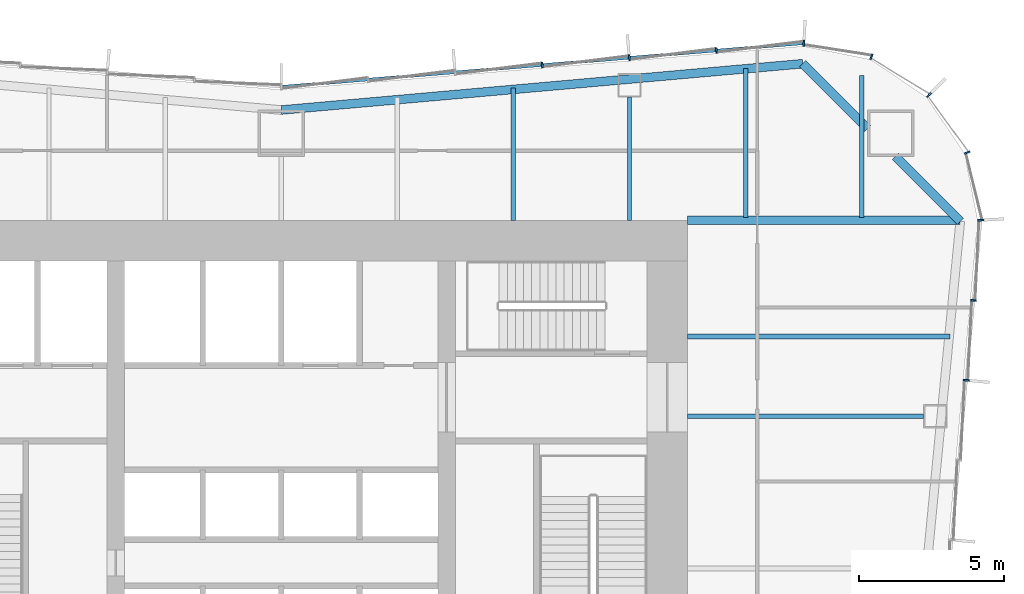
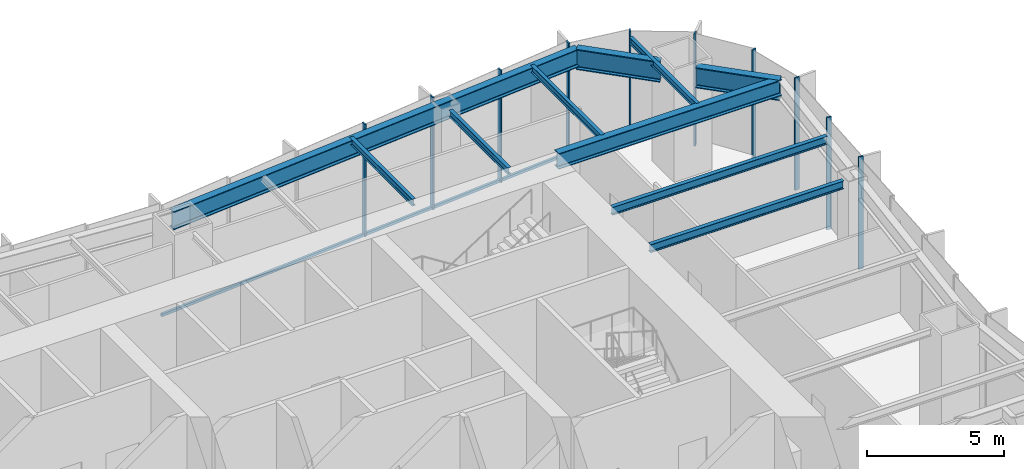
# One storey, part 7 of 14: 11 members, 10 beams, 3 elements without a shape of their own.
"""IFC4 building model written with IfcOpenShell, lengths in metres."""

from ifc_helpers import new_model, si_unit, direction, frame, origin, origin_2d, place, context, subcontext, project, spatial, rectangle, i_section, extrude, material, material_profile, profile_set, type_object, element, aggregate, save


model = new_model("IFC4")

# Units and contexts
model_context = context("Model", 3, precision=1e-05, world=origin(), true_north=direction((0.0, 1.0)))
body_context = subcontext(model_context, "Body", "Model", "MODEL_VIEW")
ifc_project = project(units=[si_unit("LENGTHUNIT", "METRE"), si_unit("AREAUNIT", "SQUARE_METRE"), si_unit("VOLUMEUNIT", "CUBIC_METRE"), si_unit("PLANEANGLEUNIT", "RADIAN"), si_unit("MASSUNIT", "GRAM", prefix="KILO")], contexts=[model_context])

# Site, building, storey
site_placement = place(None, origin())
site = spatial("IfcSite", under=ifc_project, at=site_placement, CompositionType="ELEMENT")
building_placement = place(site_placement, origin())
building = spatial("IfcBuilding", under=site, at=building_placement, Name="Verdant Reach Tower", CompositionType="ELEMENT")
storey_placement = place(building_placement, frame((0.0, 0.0, 9.0)))
storey = spatial("IfcBuildingStorey", under=building, at=storey_placement, Name="L01", CompositionType="ELEMENT", Elevation=9.0)

# Curtain wall, members
ifc_material_1 = material(Name="Anodised aluminium", Category="aluminium")
curtain_wall_type = type_object("IfcCurtainWallType", Name="EN-CW SYSTEM Z0", PredefinedType="NOTDEFINED", material=ifc_material_1)
curtain_wall_1_placement = place(storey_placement, origin())
curtain_wall_1 = element("IfcCurtainWall", 1, at=curtain_wall_1_placement, inside=storey, type_object=curtain_wall_type, Name="Curtain wall east, L01", PredefinedType="NOTDEFINED")
ifc_material_profile_1 = material_profile(ifc_material_1, rectangle(XDim=0.199951171875, YDim=0.06005859375, at=origin_2d()), Name="Mullion 60x200")
ifc_profile_set_1 = profile_set([ifc_material_profile_1], Name="Anodised aluminium")
member_type_1 = type_object("IfcMemberType", Name="EN-MULLION Z0", PredefinedType="MULLION", material=ifc_profile_set_1)
member_1_placement = place(storey_placement, frame((23.599609375, 33.490966796875, -0.35009765625), z_axis=(0.0, 0.0, 1.0), x_axis=(0.995893206467, -0.090535746047, 0.0)))
member_1 = element("IfcMember", 2, at=member_1_placement, type_object=member_type_1, Name="Mullion east face part 2 5, L01", PredefinedType="MULLION", context=body_context, shape_type="SweptSolid", body=[
    extrude(rectangle(XDim=0.199951171875, YDim=0.06005859375, at=origin_2d()), origin(), (0.0, 0.0, 1.0), 5.0),
])
member_2_placement = place(storey_placement, frame((23.849609375, 36.240966796875, -0.35009765625), z_axis=(0.0, 0.0, 1.0), x_axis=(0.995893206467, -0.090535746047, 0.0)))
member_2 = element("IfcMember", 3, at=member_2_placement, type_object=member_type_1, Name="Mullion east face part 2 6, L01", PredefinedType="MULLION", context=body_context, shape_type="SweptSolid", body=[
    extrude(rectangle(XDim=0.199951171875, YDim=0.06005859375, at=origin_2d()), origin(), (0.0, 0.0, 1.0), 5.0),
])
aggregate(curtain_wall_1, [member_1, member_2])

curtain_wall_2_placement = place(storey_placement, origin())
curtain_wall_2 = element("IfcCurtainWall", 4, at=curtain_wall_2_placement, inside=storey, type_object=curtain_wall_type, Name="Curtain wall north-east corner, L01", PredefinedType="NOTDEFINED")
member_3_placement = place(storey_placement, frame((24.099853515625, 39.00537109375, -0.35009765625), z_axis=(0.0, 0.0, 1.0), x_axis=(0.998604288049, 0.052815489107, 0.0)))
member_3 = element("IfcMember", 5, at=member_3_placement, type_object=member_type_1, Name="Mullion north-east corner 1, L01", PredefinedType="MULLION", context=body_context, shape_type="SweptSolid", body=[
    extrude(rectangle(XDim=0.199951171875, YDim=0.06005859375, at=origin_2d()), origin(), (0.0, 0.0, 1.0), 5.0),
])
member_4_placement = place(storey_placement, frame((23.6357421875, 41.33447265625, -0.35009765625), z_axis=(0.0, 0.0, 1.0), x_axis=(0.923875215753, 0.382693853776, 0.0)))
member_4 = element("IfcMember", 6, at=member_4_placement, type_object=member_type_1, Name="Mullion north-east corner 2, L01", PredefinedType="MULLION", context=body_context, shape_type="SweptSolid", body=[
    extrude(rectangle(XDim=0.199951171875, YDim=0.06005859375, at=origin_2d()), origin(), (0.0, 0.0, 1.0), 5.0),
])
member_5_placement = place(storey_placement, frame((22.313232421875, 43.313232421875, -0.35009765625), z_axis=(0.0, 0.0, 1.0), x_axis=(0.707106781187, 0.707106781187, 0.0)))
member_5 = element("IfcMember", 7, at=member_5_placement, type_object=member_type_1, Name="Mullion north-east corner 3, L01", PredefinedType="MULLION", context=body_context, shape_type="SweptSolid", body=[
    extrude(rectangle(XDim=0.199951171875, YDim=0.06005859375, at=origin_2d()), origin(), (0.0, 0.0, 1.0), 5.0),
])
member_6_placement = place(storey_placement, frame((20.33447265625, 44.6357421875, -0.35009765625), z_axis=(0.0, 0.0, 1.0), x_axis=(0.382693853776, 0.923875215753, 0.0)))
member_6 = element("IfcMember", 8, at=member_6_placement, type_object=member_type_1, Name="Mullion north-east corner 4, L01", PredefinedType="MULLION", context=body_context, shape_type="SweptSolid", body=[
    extrude(rectangle(XDim=0.199951171875, YDim=0.06005859375, at=origin_2d()), origin(), (0.0, 0.0, 1.0), 5.0),
])
aggregate(curtain_wall_2, [member_3, member_4, member_5, member_6])

curtain_wall_3_placement = place(storey_placement, origin())
curtain_wall_3 = element("IfcCurtainWall", 9, at=curtain_wall_3_placement, inside=storey, type_object=curtain_wall_type, Name="Curtain wall north, L01", PredefinedType="NOTDEFINED")
member_7_placement = place(storey_placement, frame((18.005615234375, 45.099853515625, -0.35009765625), z_axis=(0.0, 0.0, 1.0), x_axis=(0.056569187765, 0.998398681387, 0.0)))
member_7 = element("IfcMember", 10, at=member_7_placement, type_object=member_type_1, Name="Mullion north face part 1 1, L01", PredefinedType="MULLION", context=body_context, shape_type="SweptSolid", body=[
    extrude(rectangle(XDim=0.199951171875, YDim=0.06005859375, at=origin_2d()), origin(), (0.0, 0.0, 1.0), 5.0),
])
member_8_placement = place(storey_placement, frame((14.99169921875, 44.849609375, -0.35009765625), z_axis=(0.0, 0.0, 1.0), x_axis=(-0.083045479859, 0.996545758244, 0.0)))
member_8 = element("IfcMember", 11, at=member_8_placement, type_object=member_type_1, Name="Mullion north face part 1 2, L01", PredefinedType="MULLION", context=body_context, shape_type="SweptSolid", body=[
    extrude(rectangle(XDim=0.199951171875, YDim=0.06005859375, at=origin_2d()), origin(), (0.0, 0.0, 1.0), 5.0),
])
member_9_placement = place(storey_placement, frame((11.99169921875, 44.599609375, -0.35009765625), z_axis=(0.0, 0.0, 1.0), x_axis=(-0.083045479859, 0.996545758244, 0.0)))
member_9 = element("IfcMember", 12, at=member_9_placement, type_object=member_type_1, Name="Mullion north face part 1 3, L01", PredefinedType="MULLION", context=body_context, shape_type="SweptSolid", body=[
    extrude(rectangle(XDim=0.199951171875, YDim=0.06005859375, at=origin_2d()), origin(), (0.0, 0.0, 1.0), 5.0),
])
member_10_placement = place(storey_placement, frame((8.99169921875, 44.349609375, -0.35009765625), z_axis=(0.0, 0.0, 1.0), x_axis=(-0.083045479859, 0.996545758244, 0.0)))
member_10 = element("IfcMember", 13, at=member_10_placement, type_object=member_type_1, Name="Mullion north face part 1 4, L01", PredefinedType="MULLION", context=body_context, shape_type="SweptSolid", body=[
    extrude(rectangle(XDim=0.199951171875, YDim=0.06005859375, at=origin_2d()), origin(), (0.0, 0.0, 1.0), 5.0),
])
ifc_material_profile_2 = material_profile(ifc_material_1, rectangle(XDim=0.10009765625, YDim=0.1201171875, at=origin_2d()), Name="Transom 120x100")
ifc_profile_set_2 = profile_set([ifc_material_profile_2], Name="Anodised aluminium")
member_type_2 = type_object("IfcMemberType", Name="EN-TRANSOM Z0", PredefinedType="USERDEFINED", material=ifc_profile_set_2)
member_11_placement = place(storey_placement, frame((17.975830078125, 45.097412109375, -0.2900390625), z_axis=(-0.996548656072, -0.083010698588, 0.0), x_axis=(0.083010698588, -0.996548656072, 0.0)))
member_11 = element("IfcMember", 14, at=member_11_placement, type_object=member_type_2, Name="Transom north face part 1 1.1, L01", ObjectType="TRANSOM", PredefinedType="USERDEFINED", context=body_context, shape_type="SweptSolid", body=[
    extrude(rectangle(XDim=0.10009765625, YDim=0.1201171875, at=origin_2d()), origin(), (0.0, 0.0, 1.0), 18.00830078125),
])
aggregate(curtain_wall_3, [member_7, member_8, member_9, member_10, member_11])

# Beams
ifc_material_2 = material(Name="Steel S355", Category="steel")
ifc_material_profile_3 = material_profile(ifc_material_2, i_section(OverallWidth=0.300048828125, OverallDepth=0.699951171875, WebThickness=0.01708984375, FlangeThickness=0.031982421875, FilletRadius=0.027099609375, at=origin_2d()), Name="HEB 700")
ifc_profile_set_3 = profile_set([ifc_material_profile_3], Name="Steel S355")
beam_type_1 = type_object("IfcBeamType", Name="ST-BEAM-HEB700", PredefinedType="BEAM", material=ifc_profile_set_3)
beam_1_placement = place(storey_placement, frame((14.0, 39.0, 4.52001953125), z_axis=(1.0, 0.0, 0.0), x_axis=(0.0, 1.0, 0.0)))
element("IfcBeam", 15, at=beam_1_placement, inside=storey, type_object=beam_type_1, Name="Trimmer beam, L01", PredefinedType="BEAM", context=body_context, shape_type="SweptSolid", body=[
    extrude(i_section(OverallWidth=0.300048828125, OverallDepth=0.699951171875, WebThickness=0.01708984375, FlangeThickness=0.031982421875, FilletRadius=0.027099609375, at=origin_2d()), origin(), (0.0, 0.0, 1.0), 9.38818359375),
])
ifc_material_profile_4 = material_profile(ifc_material_2, i_section(OverallWidth=0.14990234375, OverallDepth=0.300048828125, WebThickness=0.007080078125, FlangeThickness=0.0107421875, FilletRadius=0.014892578125, at=origin_2d()), Name="IPE 300")
ifc_profile_set_4 = profile_set([ifc_material_profile_4], Name="Steel S355")
beam_type_2 = type_object("IfcBeamType", Name="ST-JOIST-IPE300", PredefinedType="JOIST", material=ifc_profile_set_4)
beam_2_placement = place(storey_placement, frame((8.0, 39.0, 4.719970703125), z_axis=(0.0, 1.0, 0.0), x_axis=(-1.0, 0.0, 0.0)))
element("IfcBeam", 16, at=beam_2_placement, inside=storey, type_object=beam_type_2, Name="Floor joist, L01", PredefinedType="JOIST", context=body_context, shape_type="SweptSolid", body=[
    extrude(i_section(OverallWidth=0.14990234375, OverallDepth=0.300048828125, WebThickness=0.007080078125, FlangeThickness=0.0107421875, FilletRadius=0.014892578125, at=origin_2d()), origin(), (0.0, 0.0, 1.0), 4.564697265625),
])
beam_3_placement = place(storey_placement, frame((12.0, 39.0, 4.719970703125), z_axis=(0.0, 1.0, 0.0), x_axis=(-1.0, 0.0, 0.0)))
element("IfcBeam", 17, at=beam_3_placement, inside=storey, type_object=beam_type_2, Name="Floor joist, L01", PredefinedType="JOIST", context=body_context, shape_type="SweptSolid", body=[
    extrude(i_section(OverallWidth=0.14990234375, OverallDepth=0.300048828125, WebThickness=0.007080078125, FlangeThickness=0.0107421875, FilletRadius=0.014892578125, at=origin_2d()), origin(), (0.0, 0.0, 1.0), 4.25),
])
beam_4_placement = place(storey_placement, frame((16.0, 39.10009765625, 4.719970703125), z_axis=(0.0, 1.0, 0.0), x_axis=(-1.0, 0.0, 0.0)))
element("IfcBeam", 18, at=beam_4_placement, inside=storey, type_object=beam_type_2, Name="Floor joist, L01", PredefinedType="JOIST", context=body_context, shape_type="SweptSolid", body=[
    extrude(i_section(OverallWidth=0.14990234375, OverallDepth=0.300048828125, WebThickness=0.007080078125, FlangeThickness=0.0107421875, FilletRadius=0.014892578125, at=origin_2d()), origin(), (0.0, 0.0, 1.0), 5.131103515625),
])
beam_5_placement = place(storey_placement, frame((20.0, 39.10009765625, 4.719970703125), z_axis=(0.0, 1.0, 0.0), x_axis=(-1.0, 0.0, 0.0)))
element("IfcBeam", 19, at=beam_5_placement, inside=storey, type_object=beam_type_2, Name="Floor joist, L01", PredefinedType="JOIST", context=body_context, shape_type="SweptSolid", body=[
    extrude(i_section(OverallWidth=0.14990234375, OverallDepth=0.300048828125, WebThickness=0.007080078125, FlangeThickness=0.0107421875, FilletRadius=0.014892578125, at=origin_2d()), origin(), (0.0, 0.0, 1.0), 4.890380859375),
])
ifc_material_profile_5 = material_profile(ifc_material_2, i_section(OverallWidth=0.169921875, OverallDepth=0.360107421875, WebThickness=0.008056640625, FlangeThickness=0.0126953125, FilletRadius=0.01806640625, at=origin_2d()), Name="IPE 360")
ifc_profile_set_5 = profile_set([ifc_material_profile_5], Name="Steel S355")
beam_type_3 = type_object("IfcBeamType", Name="ST-JOIST-IPE360", PredefinedType="JOIST", material=ifc_profile_set_5)
beam_6_placement = place(storey_placement, frame((14.0, 32.25, 4.68994140625), z_axis=(1.0, 0.0, 0.0), x_axis=(0.0, 1.0, 0.0)))
element("IfcBeam", 20, at=beam_6_placement, inside=storey, type_object=beam_type_3, Name="Floor joist, L01", PredefinedType="JOIST", context=body_context, shape_type="SweptSolid", body=[
    extrude(i_section(OverallWidth=0.169921875, OverallDepth=0.360107421875, WebThickness=0.008056640625, FlangeThickness=0.0126953125, FilletRadius=0.01806640625, at=origin_2d()), origin(), (0.0, 0.0, 1.0), 8.136474609375),
])
beam_7_placement = place(storey_placement, frame((14.0, 35.0, 4.68994140625), z_axis=(1.0, 0.0, 0.0), x_axis=(0.0, 1.0, 0.0)))
element("IfcBeam", 21, at=beam_7_placement, inside=storey, type_object=beam_type_3, Name="Floor joist, L01", PredefinedType="JOIST", context=body_context, shape_type="SweptSolid", body=[
    extrude(i_section(OverallWidth=0.169921875, OverallDepth=0.360107421875, WebThickness=0.008056640625, FlangeThickness=0.0126953125, FilletRadius=0.01806640625, at=origin_2d()), origin(), (0.0, 0.0, 1.0), 9.033935546875),
])
ifc_material_profile_6 = material_profile(ifc_material_2, i_section(OverallWidth=0.300048828125, OverallDepth=0.800048828125, WebThickness=0.017578125, FlangeThickness=0.032958984375, FilletRadius=0.030029296875, at=origin_2d()), Name="HEB 800")
ifc_profile_set_6 = profile_set([ifc_material_profile_6], Name="Steel S355")
beam_type_4 = type_object("IfcBeamType", Name="ST-SPANDREL-HEB800", PredefinedType="SPANDREL", material=ifc_profile_set_6)
beam_8_placement = place(storey_placement, frame((0.0, 42.800048828125, 4.469970703125), z_axis=(0.996082370463, 0.088430262084, 0.0), x_axis=(-0.088430262084, 0.996082370463, 0.0)))
element("IfcBeam", 22, at=beam_8_placement, inside=storey, type_object=beam_type_4, Name="Edge beam, L01", PredefinedType="SPANDREL", context=body_context, shape_type="SweptSolid", body=[
    extrude(i_section(OverallWidth=0.300048828125, OverallDepth=0.800048828125, WebThickness=0.017578125, FlangeThickness=0.032958984375, FilletRadius=0.030029296875, at=origin_2d()), origin(), (0.0, 0.0, 1.0), 18.036376953125),
])
ifc_material_profile_7 = material_profile(ifc_material_2, i_section(OverallWidth=0.302001953125, OverallDepth=0.909912109375, WebThickness=0.02099609375, FlangeThickness=0.0400390625, FilletRadius=0.030029296875, at=origin_2d()), Name="HEM 900")
ifc_profile_set_7 = profile_set([ifc_material_profile_7], Name="Steel S355")
beam_type_5 = type_object("IfcBeamType", Name="ST-SPANDREL-HEM900", PredefinedType="SPANDREL", material=ifc_profile_set_7)
beam_9_placement = place(storey_placement, frame((17.9658203125, 44.39501953125, 4.4150390625), z_axis=(0.707222697162, -0.706990846206, 0.0), x_axis=(0.706990846206, 0.707222697162, 0.0)))
element("IfcBeam", 23, at=beam_9_placement, inside=storey, type_object=beam_type_5, Name="Edge beam, L01", PredefinedType="SPANDREL", context=body_context, shape_type="SweptSolid", body=[
    extrude(i_section(OverallWidth=0.302001953125, OverallDepth=0.909912109375, WebThickness=0.02099609375, FlangeThickness=0.0400390625, FilletRadius=0.030029296875, at=origin_2d()), origin(), (0.0, 0.0, 1.0), 3.158935546875),
])
beam_10_placement = place(storey_placement, frame((21.161865234375, 41.199951171875, 4.4150390625), z_axis=(0.70722277322, -0.706990770123, 0.0), x_axis=(0.706990770123, 0.70722277322, 0.0)))
element("IfcBeam", 24, at=beam_10_placement, inside=storey, type_object=beam_type_5, Name="Edge beam, L01", PredefinedType="SPANDREL", context=body_context, shape_type="SweptSolid", body=[
    extrude(i_section(OverallWidth=0.302001953125, OverallDepth=0.909912109375, WebThickness=0.02099609375, FlangeThickness=0.0400390625, FilletRadius=0.030029296875, at=origin_2d()), origin(), (0.0, 0.0, 1.0), 3.156982421875),
])

save(model, "model.ifc")
